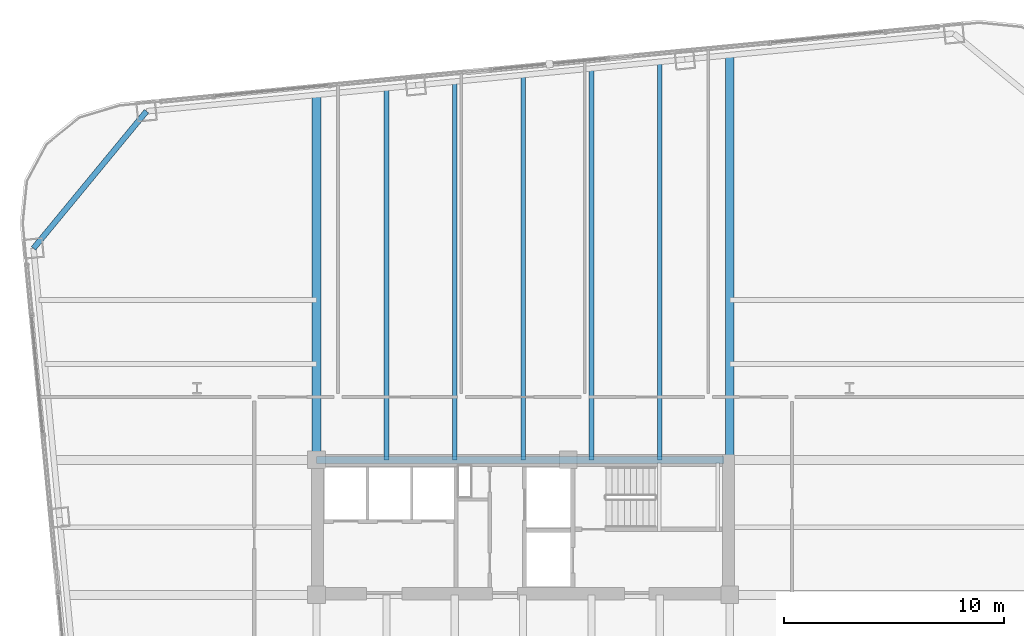
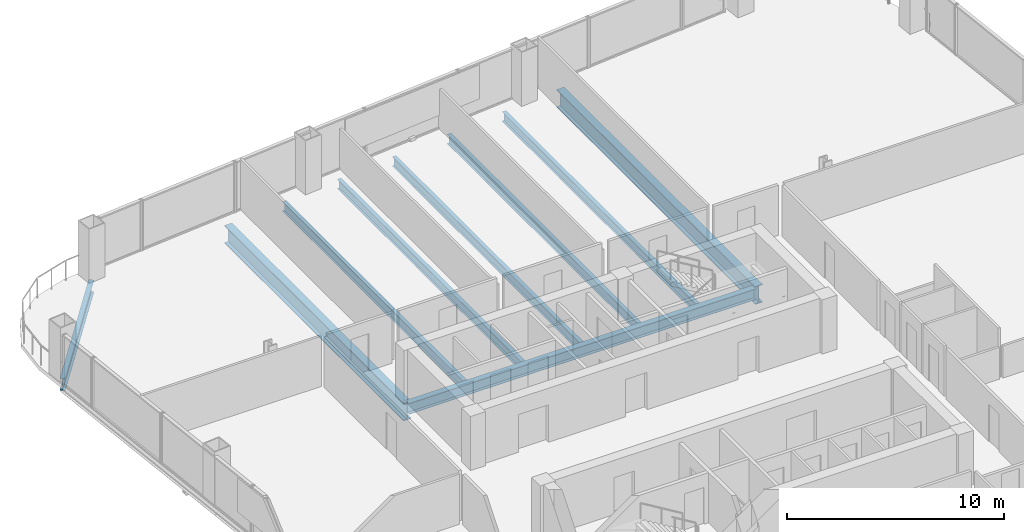
# One storey, part 15 of 27: 9 beams.
"""IFC4 building model written with IfcOpenShell, lengths in metres."""

from ifc_helpers import new_model, si_unit, direction, frame, origin, origin_2d, place, context, subcontext, project, spatial, i_section, extrude, material, material_profile, profile_set, type_object, element, save


model = new_model("IFC4")

# Units and contexts
model_context = context("Model", 3, precision=1e-05, world=origin(), true_north=direction((0.0, 1.0)))
body_context = subcontext(model_context, "Body", "Model", "MODEL_VIEW")
ifc_project = project(units=[si_unit("LENGTHUNIT", "METRE"), si_unit("AREAUNIT", "SQUARE_METRE"), si_unit("VOLUMEUNIT", "CUBIC_METRE"), si_unit("PLANEANGLEUNIT", "RADIAN"), si_unit("MASSUNIT", "GRAM", prefix="KILO")], contexts=[model_context])

# Site, building, storey
site_placement = place(None, origin())
site = spatial("IfcSite", under=ifc_project, at=site_placement, CompositionType="ELEMENT")
building_placement = place(site_placement, origin())
building = spatial("IfcBuilding", under=site, at=building_placement, Name="Qhalaya Broadcast Tower", CompositionType="ELEMENT")
storey_placement = place(building_placement, frame((0.0, 0.0, 84.699951171875)))
storey = spatial("IfcBuildingStorey", under=building, at=storey_placement, Name="L24", CompositionType="ELEMENT", Elevation=84.699951171875)

# Beams
ifc_material = material(Name="Structural Steel ASTM A992 Grade 50", Category="steel")
ifc_material_profile_1 = material_profile(ifc_material, i_section(OverallWidth=0.2099609375, OverallDepth=0.535888671875, WebThickness=0.010986328125, FlangeThickness=0.017333984375, at=origin_2d()), Name="W21X68")
ifc_profile_set_1 = profile_set([ifc_material_profile_1], Name="Structural Steel ASTM A992 Grade 50")
beam_type_1 = type_object("IfcBeamType", Name="Composite Floor Joist J02", PredefinedType="JOIST", material=ifc_profile_set_1)
beam_1_placement = place(storey_placement, frame((-6.199951171875, 9.949951171875, -0.488037109375), z_axis=(0.0, 1.0, 0.0), x_axis=(-1.0, 0.0, 0.0)))
element("IfcBeam", 1, at=beam_1_placement, inside=storey, type_object=beam_type_1, Name="L24 J02 L24-JNN1-1", PredefinedType="JOIST", context=body_context, shape_type="SweptSolid", body=[
    extrude(i_section(OverallWidth=0.2099609375, OverallDepth=0.535888671875, WebThickness=0.010986328125, FlangeThickness=0.017333984375, at=origin_2d()), origin(), (0.0, 0.0, 1.0), 16.843505859375),
])
beam_2_placement = place(storey_placement, frame((-3.10009765625, 9.949951171875, -0.488037109375), z_axis=(0.0, 1.0, 0.0), x_axis=(-1.0, 0.0, 0.0)))
element("IfcBeam", 2, at=beam_2_placement, inside=storey, type_object=beam_type_1, Name="L24 J02 L24-JNN2-1", PredefinedType="JOIST", context=body_context, shape_type="SweptSolid", body=[
    extrude(i_section(OverallWidth=0.2099609375, OverallDepth=0.535888671875, WebThickness=0.010986328125, FlangeThickness=0.017333984375, at=origin_2d()), origin(), (0.0, 0.0, 1.0), 17.14208984375),
])
beam_3_placement = place(storey_placement, frame((0.0, 9.949951171875, -0.488037109375), z_axis=(0.0, 1.0, 0.0), x_axis=(-1.0, 0.0, 0.0)))
element("IfcBeam", 3, at=beam_3_placement, inside=storey, type_object=beam_type_1, Name="L24 J02 L24-JNN3-1", PredefinedType="JOIST", context=body_context, shape_type="SweptSolid", body=[
    extrude(i_section(OverallWidth=0.2099609375, OverallDepth=0.535888671875, WebThickness=0.010986328125, FlangeThickness=0.017333984375, at=origin_2d()), origin(), (0.0, 0.0, 1.0), 17.4404296875),
])
beam_4_placement = place(storey_placement, frame((3.10009765625, 9.949951171875, -0.488037109375), z_axis=(0.0, 1.0, 0.0), x_axis=(-1.0, 0.0, 0.0)))
element("IfcBeam", 4, at=beam_4_placement, inside=storey, type_object=beam_type_1, Name="L24 J02 L24-JNN4-1", PredefinedType="JOIST", context=body_context, shape_type="SweptSolid", body=[
    extrude(i_section(OverallWidth=0.2099609375, OverallDepth=0.535888671875, WebThickness=0.010986328125, FlangeThickness=0.017333984375, at=origin_2d()), origin(), (0.0, 0.0, 1.0), 17.739013671875),
])
beam_5_placement = place(storey_placement, frame((6.199951171875, 9.949951171875, -0.488037109375), z_axis=(0.0, 1.0, 0.0), x_axis=(-1.0, 0.0, 0.0)))
element("IfcBeam", 5, at=beam_5_placement, inside=storey, type_object=beam_type_1, Name="L24 J02 L24-JNN5-1", PredefinedType="JOIST", context=body_context, shape_type="SweptSolid", body=[
    extrude(i_section(OverallWidth=0.2099609375, OverallDepth=0.535888671875, WebThickness=0.010986328125, FlangeThickness=0.017333984375, at=origin_2d()), origin(), (0.0, 0.0, 1.0), 18.03759765625),
])
ifc_material_profile_2 = material_profile(ifc_material, i_section(OverallWidth=0.323974609375, OverallDepth=0.612060546875, WebThickness=0.0126953125, FlangeThickness=0.01904296875, at=origin_2d()), Name="W24X104")
ifc_profile_set_2 = profile_set([ifc_material_profile_2], Name="Structural Steel ASTM A992 Grade 50")
beam_type_2 = type_object("IfcBeamType", Name="Core Frame Tie Beam B04", PredefinedType="BEAM", material=ifc_profile_set_2)
beam_6_placement = place(storey_placement, frame((-9.375, 9.949951171875, -0.52587890625), z_axis=(1.0, 0.0, 0.0), x_axis=(0.0, 1.0, 0.0)))
element("IfcBeam", 6, at=beam_6_placement, inside=storey, type_object=beam_type_2, Name="L24 B04 L24-CCN3", PredefinedType="BEAM", context=body_context, shape_type="SweptSolid", body=[
    extrude(i_section(OverallWidth=0.323974609375, OverallDepth=0.612060546875, WebThickness=0.0126953125, FlangeThickness=0.01904296875, at=origin_2d()), origin(), (0.0, 0.0, 1.0), 18.4951171875),
])
ifc_material_profile_3 = material_profile(ifc_material, i_section(OverallWidth=0.40087890625, OverallDepth=1.010986328125, WebThickness=0.023681640625, FlangeThickness=0.0419921875, at=origin_2d()), Name="W40X297")
ifc_profile_set_3 = profile_set([ifc_material_profile_3], Name="Structural Steel ASTM A992 Grade 50")
beam_type_3 = type_object("IfcBeamType", Name="Lower Block Primary Girder PG2", PredefinedType="USERDEFINED", material=ifc_profile_set_3)
beam_7_placement = place(storey_placement, frame((-9.375, 9.949951171875, -0.725341796875), z_axis=(0.0, 1.0, 0.0), x_axis=(-1.0, 0.0, 0.0)))
element("IfcBeam", 7, at=beam_7_placement, inside=storey, type_object=beam_type_3, Name="L24 PG2 L24-PGXN1-1", ObjectType="GIRDER", PredefinedType="USERDEFINED", context=body_context, shape_type="SweptSolid", body=[
    extrude(i_section(OverallWidth=0.40087890625, OverallDepth=1.010986328125, WebThickness=0.023681640625, FlangeThickness=0.0419921875, at=origin_2d()), origin(), (0.0, 0.0, 1.0), 16.537841796875),
])
beam_8_placement = place(storey_placement, frame((9.375, 9.949951171875, -0.725341796875), z_axis=(0.0, 1.0, 0.0), x_axis=(-1.0, 0.0, 0.0)))
element("IfcBeam", 8, at=beam_8_placement, inside=storey, type_object=beam_type_3, Name="L24 PG2 L24-PGXN2-1", ObjectType="GIRDER", PredefinedType="USERDEFINED", context=body_context, shape_type="SweptSolid", body=[
    extrude(i_section(OverallWidth=0.40087890625, OverallDepth=1.010986328125, WebThickness=0.023681640625, FlangeThickness=0.0419921875, at=origin_2d()), origin(), (0.0, 0.0, 1.0), 18.34326171875),
])
ifc_material_profile_4 = material_profile(ifc_material, i_section(OverallWidth=0.25390625, OverallDepth=0.68310546875, WebThickness=0.012451171875, FlangeThickness=0.01904296875, at=origin_2d()), Name="W27X94")
ifc_profile_set_4 = profile_set([ifc_material_profile_4], Name="Structural Steel ASTM A992 Grade 50")
beam_type_4 = type_object("IfcBeamType", Name="Perimeter Ring Spandrel Beam SP1", PredefinedType="SPANDREL", material=ifc_profile_set_4)
beam_9_placement = place(storey_placement, frame((-17.085205078125, 25.765380859375, -0.5615234375), z_axis=(-0.636085107008, -0.771618906354, 0.0), x_axis=(0.771618906354, -0.636085107008, 0.0)))
element("IfcBeam", 9, at=beam_9_placement, inside=storey, type_object=beam_type_4, Name="L24 SP1 L24-SPR-12", PredefinedType="SPANDREL", context=body_context, shape_type="SweptSolid", body=[
    extrude(i_section(OverallWidth=0.25390625, OverallDepth=0.68310546875, WebThickness=0.012451171875, FlangeThickness=0.01904296875, at=origin_2d()), origin(), (0.0, 0.0, 1.0), 8.06103515625),
])

save(model, "model.ifc")
